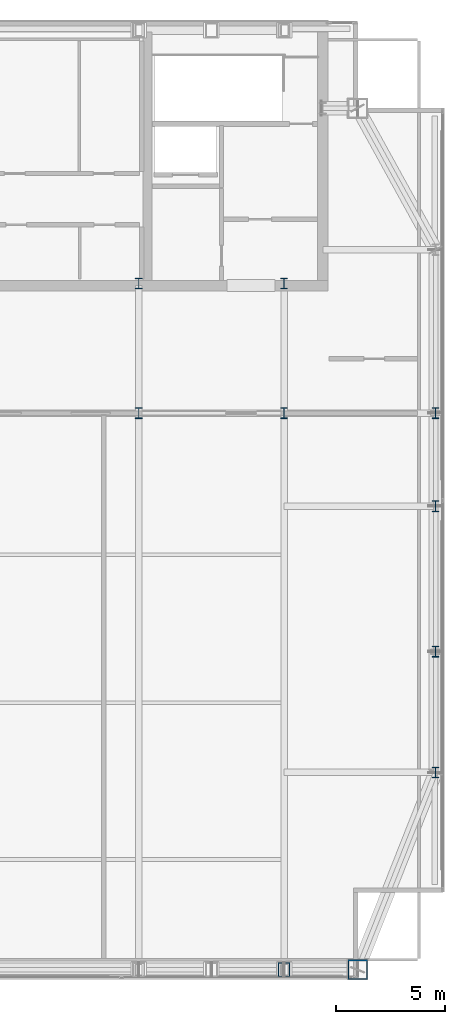
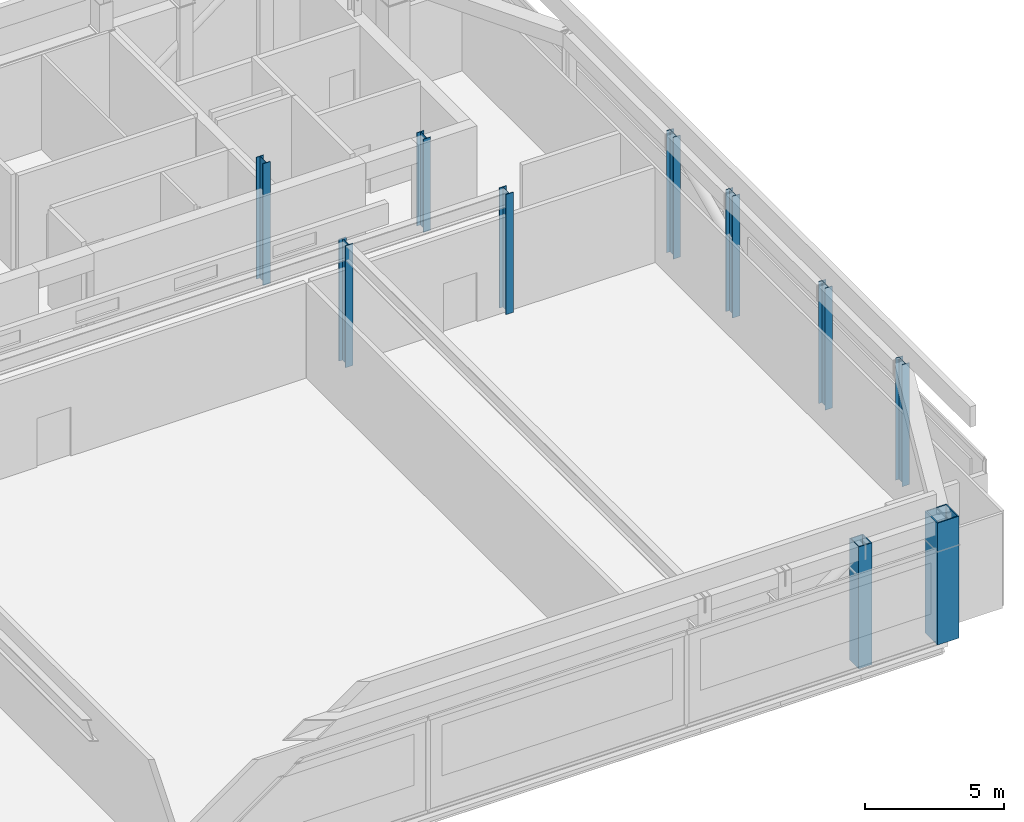
# One storey, part 2 of 24: 10 columns.
"""IFC4 building model written with IfcOpenShell, lengths in metres."""

from ifc_helpers import new_model, si_unit, direction, frame, origin, origin_2d, place, context, subcontext, project, spatial, hollow_rectangle, i_section, extrude, material, material_profile, profile_set, type_object, element, save


model = new_model("IFC4")

# Units and contexts
model_context = context("Model", 3, precision=1e-05, world=origin(), true_north=direction((0.0, 1.0)))
body_context = subcontext(model_context, "Body", "Model", "MODEL_VIEW")
ifc_project = project(units=[si_unit("LENGTHUNIT", "METRE"), si_unit("AREAUNIT", "SQUARE_METRE"), si_unit("VOLUMEUNIT", "CUBIC_METRE"), si_unit("PLANEANGLEUNIT", "RADIAN"), si_unit("MASSUNIT", "GRAM", prefix="KILO")], contexts=[model_context])

# Site, building, storey
site_placement = place(None, origin())
site = spatial("IfcSite", under=ifc_project, at=site_placement, CompositionType="ELEMENT")
building_placement = place(site_placement, origin())
building = spatial("IfcBuilding", under=site, at=building_placement, Name="Khoronbel Lancet Exchange", CompositionType="ELEMENT")
storey_placement = place(building_placement, frame((0.0, 0.0, 378.60009765625)))
storey = spatial("IfcBuildingStorey", under=building, at=storey_placement, Name="L96", CompositionType="ELEMENT", Elevation=378.60009765625)

# Columns
ifc_material_1 = material(Name="Steel S355", Category="steel")
ifc_material_profile_1 = material_profile(ifc_material_1, i_section(OverallWidth=0.300048828125, OverallDepth=0.5, WebThickness=0.014404296875, FlangeThickness=0.028076171875, at=origin_2d()), Name="HEB 500")
ifc_profile_set_1 = profile_set([ifc_material_profile_1], Name="Steel S355")
column_type_1 = type_object("IfcColumnType", Name="COL-CRC1", PredefinedType="COLUMN", material=ifc_profile_set_1)
for number, where, z_axis, x_axis, name in (
    (1, (61.6298828125, 19.199951171875, 0.0), (0.0, 0.0, 1.0), (1.0, 0.0, 0.0), "CROWN FRAME column EC-1 L96"),
    (2, (61.6298828125, 24.75, 0.0), (0.0, 0.0, 1.0), (1.0, 0.0, 0.0), "CROWN FRAME column EC-2 L96"),
    (3, (61.6298828125, 31.425048828125, 0.0), (0.0, 0.0, 1.0), (1.0, 0.0, 0.0), "CROWN FRAME column EC-M L96"),
    (4, (61.6298828125, 35.699951171875, 0.0), (0.0, 0.0, 1.0), (1.0, 0.0, 0.0), "CROWN FRAME column EC-3 L96"),
    (5, (48.0, 35.699951171875, 0.0), (0.0, 0.0, 1.0), (1.0, 0.0, 0.0), "CROWN FRAME spine column TC3 L96"),
    (6, (48.0, 41.64990234375, 0.0), (0.0, 0.0, 1.0), (1.0, 0.0, 0.0), "Core-embedded steel column CTC3 L96"),
):
    element("IfcColumn", number, at=place(storey_placement, frame(where, z_axis=z_axis, x_axis=x_axis)), inside=storey, type_object=column_type_1, Name=name, PredefinedType="COLUMN", context=body_context, shape_type="SweptSolid", body=[
        extrude(i_section(OverallWidth=0.300048828125, OverallDepth=0.5, WebThickness=0.014404296875, FlangeThickness=0.028076171875, at=origin_2d()), origin(), (0.0, 0.0, 1.0), 5.35986328125),
    ])
column_1_placement = place(storey_placement, frame((54.675048828125, 35.699951171875, 0.0), z_axis=(0.0, 0.0, 1.0), x_axis=(1.0, 0.0, 0.0)))
element("IfcColumn", 7, at=column_1_placement, inside=storey, type_object=column_type_1, Name="CROWN FRAME spine column TC4 L96", PredefinedType="COLUMN", context=body_context, shape_type="SweptSolid", body=[
    extrude(i_section(OverallWidth=0.300048828125, OverallDepth=0.5, WebThickness=0.014404296875, FlangeThickness=0.028076171875, at=origin_2d()), origin(), (0.0, 0.0, 1.0), 5.27978515625),
])
column_2_placement = place(storey_placement, frame((54.675048828125, 41.64990234375, 0.0), z_axis=(0.0, 0.0, 1.0), x_axis=(1.0, 0.0, 0.0)))
element("IfcColumn", 8, at=column_2_placement, inside=storey, type_object=column_type_1, Name="Core-embedded steel column CTC4 L96", PredefinedType="COLUMN", context=body_context, shape_type="SweptSolid", body=[
    extrude(i_section(OverallWidth=0.300048828125, OverallDepth=0.5, WebThickness=0.014404296875, FlangeThickness=0.028076171875, at=origin_2d()), origin(), (0.0, 0.0, 1.0), 4.099853515625),
])
ifc_material_2 = material(Name="Steel S460", Category="steel")
ifc_material_profile_2 = material_profile(ifc_material_2, hollow_rectangle(XDim=0.550048828125, YDim=0.64990234375, WallThickness=0.0400390625, at=origin_2d()), Name="BOX 650x550x40")
ifc_profile_set_2 = profile_set([ifc_material_profile_2], Name="Steel S460")
column_type_2 = type_object("IfcColumnType", Name="COL-EC4", PredefinedType="COLUMN", material=ifc_profile_set_2)
column_3_placement = place(storey_placement, frame((54.675048828125, 10.14990234375, 0.0), z_axis=(0.0, 0.0, 1.0), x_axis=(1.0, 0.0, 0.0)))
element("IfcColumn", 9, at=column_3_placement, inside=storey, type_object=column_type_2, Name="CROWN FRAME column SC-E2 L96", PredefinedType="COLUMN", context=body_context, shape_type="SweptSolid", body=[
    extrude(hollow_rectangle(XDim=0.550048828125, YDim=0.64990234375, WallThickness=0.0400390625, at=origin_2d()), origin(), (0.0, 0.0, 1.0), 5.35986328125),
])
ifc_material_profile_3 = material_profile(ifc_material_2, hollow_rectangle(XDim=0.89990234375, YDim=0.89990234375, WallThickness=0.050048828125, at=origin_2d()), Name="BOX 900x900x50")
ifc_profile_set_3 = profile_set([ifc_material_profile_3], Name="Steel S460")
column_type_3 = type_object("IfcColumnType", Name="COL-MC7", PredefinedType="COLUMN", material=ifc_profile_set_3)
column_4_placement = place(storey_placement, frame((58.050048828125, 10.14990234375, 0.0), z_axis=(0.0, 0.0, 1.0), x_axis=(1.0, 0.0, 0.0)))
element("IfcColumn", 10, at=column_4_placement, inside=storey, type_object=column_type_3, Name="CROWN FRAME column MC-SE L96", PredefinedType="COLUMN", context=body_context, shape_type="SweptSolid", body=[
    extrude(hollow_rectangle(XDim=0.89990234375, YDim=0.89990234375, WallThickness=0.050048828125, at=origin_2d()), origin(), (0.0, 0.0, 1.0), 5.35986328125),
])

save(model, "model.ifc")
